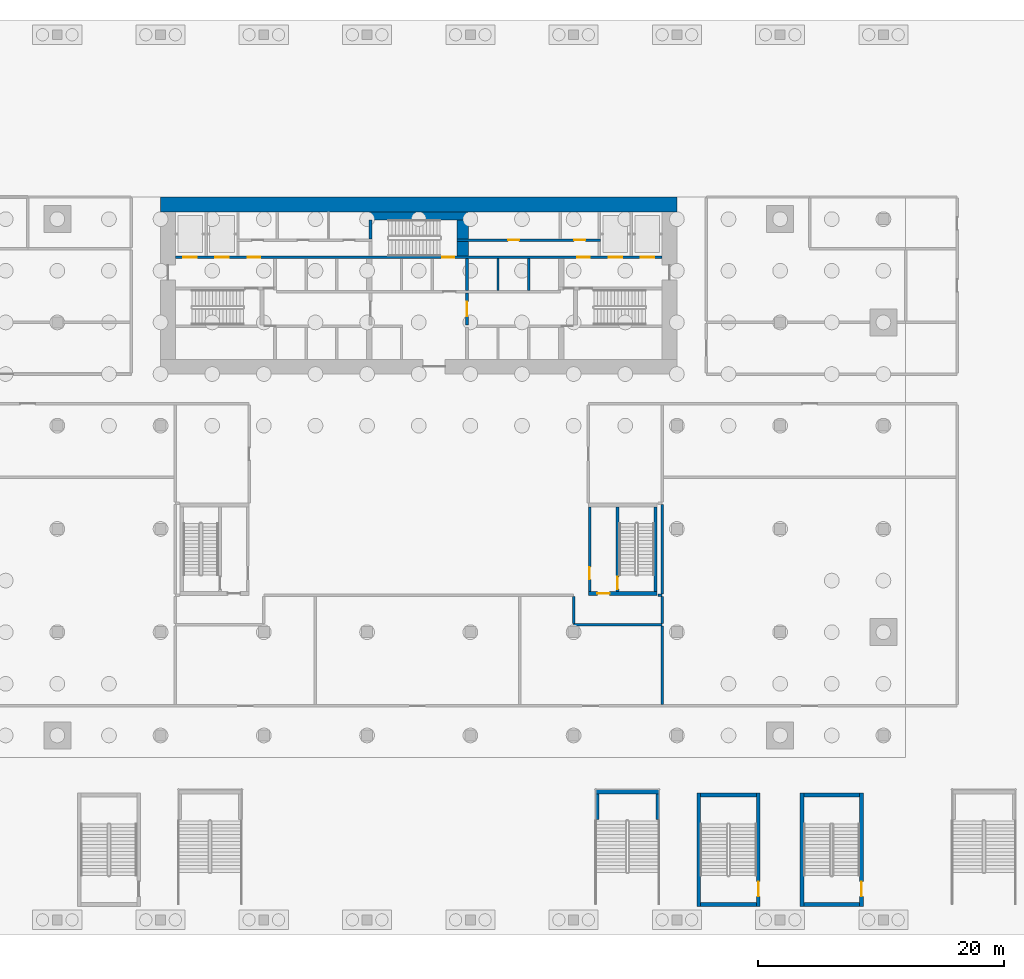
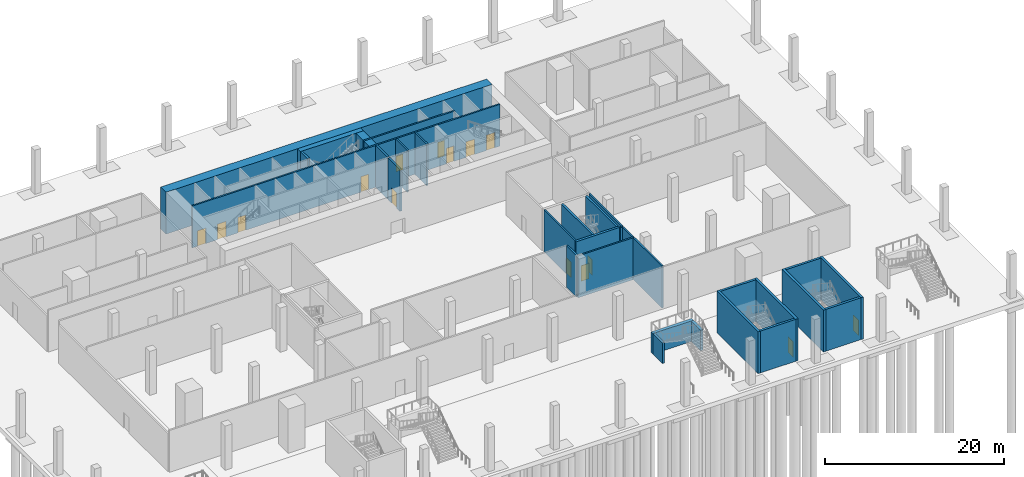
# One storey, part 7 of 16: 32 walls, 15 doors, 15 openings.
"""IFC4 building model written with IfcOpenShell, lengths in metres."""

from ifc_helpers import new_model, si_unit, direction, frame, frame_2d, origin, place, context, subcontext, project, spatial, rectangle, extrude, material, layer, layer_set, type_object, element, fill, save


model = new_model("IFC4")

# Units and contexts
model_context = context("Model", 3, precision=1e-05, world=origin(), true_north=direction((0.0, 1.0)))
body_context = subcontext(model_context, "Body", "Model", "MODEL_VIEW")
ifc_project = project(units=[si_unit("LENGTHUNIT", "METRE"), si_unit("AREAUNIT", "SQUARE_METRE"), si_unit("VOLUMEUNIT", "CUBIC_METRE"), si_unit("PLANEANGLEUNIT", "RADIAN"), si_unit("MASSUNIT", "GRAM", prefix="KILO")], contexts=[model_context])

# Site, building, storey
site_placement = place(None, origin())
site = spatial("IfcSite", under=ifc_project, at=site_placement, CompositionType="ELEMENT")
building_placement = place(site_placement, origin())
building = spatial("IfcBuilding", under=site, at=building_placement, Name="Saffron Gate Tower", CompositionType="ELEMENT")
storey_placement = place(building_placement, frame((0.0, 0.0, -6.0)))
storey = spatial("IfcBuildingStorey", under=building, at=storey_placement, Name="B1", CompositionType="ELEMENT", Elevation=-6.0)

# Wall
ifc_material_1 = material(Name="Concrete C70", Category="concrete")
ifc_layer_1 = layer(ifc_material_1, 1.199951171875)
ifc_layer_set_1 = layer_set([ifc_layer_1], Name="CW1 RC core wall 1200 C70")
wall_type_1 = type_object("IfcWallType", Name="CW1 RC core wall 1200 C70", PredefinedType="SOLIDWALL", material=ifc_layer_set_1)
wall_1_placement = place(storey_placement, frame((66.60009765625, 75.0, 0.0), z_axis=(0.0, 0.0, 1.0), x_axis=(1.0, 0.0, 0.0)))
element("IfcWall", 1, at=wall_1_placement, inside=storey, type_object=wall_type_1, Name="Wall CW1-B1-2", PredefinedType="SOLIDWALL", context=body_context, shape_type="SweptSolid", body=[
    extrude(rectangle(XDim=42.0, YDim=1.199951171875, at=frame_2d((21.0, 0.0))), origin(), (0.0, 0.0, 1.0), 5.699951171875),
])

# Wall, opening, door
ifc_material_2 = material(Name="Gypsum board partition on steel studs", Category="steel")
ifc_layer_2 = layer(ifc_material_2, 0.199951171875)
ifc_layer_set_2 = layer_set([ifc_layer_2], Name="CW10 Core partition 200")
wall_type_2 = type_object("IfcWallType", Name="CW10 Core partition 200", PredefinedType="PARTITIONING", material=ifc_layer_set_2)
wall_2_placement = place(storey_placement, frame((101.5, 43.5, 0.0), z_axis=(0.0, 0.0, 1.0), x_axis=(0.0, 1.0, 0.0)))
wall_2 = element("IfcWall", 2, at=wall_2_placement, inside=storey, type_object=wall_type_2, Name="Wall CW10-B1-E-2", PredefinedType="PARTITIONING", context=body_context, shape_type="SweptSolid", body=[
    extrude(rectangle(XDim=6.89990234375, YDim=0.199951171875, at=frame_2d((3.449951171875, 0.0))), origin(), (0.0, 0.0, 1.0), 5.699951171875),
])
opening_1_placement = place(wall_2_placement, frame((1.0, 0.0, 0.0)))
opening_1 = element("IfcOpeningElement", 3, at=opening_1_placement, cuts=wall_2, Name="Opening CR-22", PredefinedType="OPENING", context=body_context, shape_type="SweptSolid", body=[
    extrude(rectangle(XDim=1.0, YDim=2.10009765625, at=frame_2d((0.5, 1.050048828125))), frame((0.0, 0.10986328125, 0.0), z_axis=(0.0, -1.0, 0.0), x_axis=(1.0, 0.0, 0.0)), (0.0, 0.0, 1.0), 0.219970703125),
])
ifc_material_3 = material(Name="Steel fire door set", Category="steel")
door_type_1 = type_object("IfcDoorType", Name="CD4 Lobby door 1000x2100 EI 120", OperationType="NOTDEFINED", PredefinedType="DOOR", material=ifc_material_3)
door_1_placement = place(opening_1_placement, origin())
door_1 = element("IfcDoor", 4, at=door_1_placement, inside=storey, type_object=door_type_1, Name="DOOR CR-22", OperationType="SINGLE_SWING_LEFT", OverallHeight=2.10009765625, OverallWidth=1.0, PredefinedType="DOOR", context=body_context, shape_type="SweptSolid", body=[
    extrude(rectangle(XDim=1.0, YDim=2.10009765625, at=frame_2d((0.5, 1.050048828125))), frame((0.0, 0.02490234375, 0.0), z_axis=(0.0, -1.0, 0.0), x_axis=(1.0, 0.0, 0.0)), (0.0, 0.0, 1.0), 0.050048828125),
])
fill(opening_1, door_1)

ifc_layer_3 = layer(ifc_material_1, 0.25)
ifc_layer_set_3 = layer_set([ifc_layer_3], Name="CW2 RC core wall 250 C70")
wall_type_3 = type_object("IfcWallType", Name="CW2 RC core wall 250 C70", PredefinedType="SOLIDWALL", material=ifc_layer_set_3)
wall_3_placement = place(storey_placement, frame((91.52490234375, 65.199951171875, 0.0), z_axis=(0.0, 0.0, 1.0), x_axis=(0.0, 1.0, 0.0)))
wall_3 = element("IfcWall", 5, at=wall_3_placement, inside=storey, type_object=wall_type_3, Name="Wall CW2-B1-18", PredefinedType="SOLIDWALL", context=body_context, shape_type="SweptSolid", body=[
    extrude(rectangle(XDim=2.60009765625, YDim=0.25, at=frame_2d((1.300048828125, 0.0))), origin(), (0.0, 0.0, 1.0), 5.699951171875),
])
opening_2_placement = place(wall_3_placement, frame((0.699951171875, 0.0, 0.0)))
opening_2 = element("IfcOpeningElement", 6, at=opening_2_placement, cuts=wall_3, Name="Opening CR-01", PredefinedType="OPENING", context=body_context, shape_type="SweptSolid", body=[
    extrude(rectangle(XDim=1.199951171875, YDim=2.10009765625, at=frame_2d((0.60009765625, 1.050048828125))), frame((0.0, 0.135009765625, 0.0), z_axis=(0.0, -1.0, 0.0), x_axis=(1.0, 0.0, 0.0)), (0.0, 0.0, 1.0), 0.27001953125),
])
door_type_2 = type_object("IfcDoorType", Name="CD3 Lobby door 1200x2100 EI 120", OperationType="NOTDEFINED", PredefinedType="DOOR", material=ifc_material_3)
door_2_placement = place(opening_2_placement, origin())
door_2 = element("IfcDoor", 7, at=door_2_placement, inside=storey, type_object=door_type_2, Name="DOOR CR-01", OperationType="SINGLE_SWING_RIGHT", OverallHeight=2.10009765625, OverallWidth=1.199951171875, PredefinedType="DOOR", context=body_context, shape_type="SweptSolid", body=[
    extrude(rectangle(XDim=1.199951171875, YDim=2.10009765625, at=frame_2d((0.60009765625, 1.050048828125))), frame((0.0, 0.02490234375, 0.0), z_axis=(0.0, -1.0, 0.0), x_axis=(1.0, 0.0, 0.0)), (0.0, 0.0, 1.0), 0.050048828125),
])
fill(opening_2, door_2)

# Walls
wall_4_placement = place(storey_placement, frame((91.52490234375, 68.0, 0.0), z_axis=(0.0, 0.0, 1.0), x_axis=(0.0, 1.0, 0.0)))
element("IfcWall", 8, at=wall_4_placement, inside=storey, type_object=wall_type_3, Name="Wall CW2-B1-26", PredefinedType="SOLIDWALL", context=body_context, shape_type="SweptSolid", body=[
    extrude(rectangle(XDim=2.60009765625, YDim=0.25, at=frame_2d((1.300048828125, 0.0))), origin(), (0.0, 0.0, 1.0), 5.699951171875),
])
wall_5_placement = place(storey_placement, frame((83.675048828125, 72.199951171875, 0.0), z_axis=(0.0, 0.0, 1.0), x_axis=(0.0, 1.0, 0.0)))
element("IfcWall", 9, at=wall_5_placement, inside=storey, type_object=wall_type_3, Name="Wall CW2-B1-46", PredefinedType="SOLIDWALL", context=body_context, shape_type="SweptSolid", body=[
    extrude(rectangle(XDim=1.550048828125, YDim=0.25, at=frame_2d((0.77490234375, 0.0))), origin(), (0.0, 0.0, 1.0), 5.699951171875),
])

# Wall, opening, door
wall_6_placement = place(storey_placement, frame((103.77490234375, 43.5, 0.0), z_axis=(0.0, 0.0, 1.0), x_axis=(0.0, 1.0, 0.0)))
wall_6 = element("IfcWall", 10, at=wall_6_placement, inside=storey, type_object=wall_type_3, Name="Wall CW2-B1-E-3", PredefinedType="SOLIDWALL", context=body_context, shape_type="SweptSolid", body=[
    extrude(rectangle(XDim=6.89990234375, YDim=0.25, at=frame_2d((3.449951171875, 0.0))), origin(), (0.0, 0.0, 1.0), 5.699951171875),
])
opening_3_placement = place(wall_6_placement, frame((0.199951171875, 0.0, 0.0)))
opening_3 = element("IfcOpeningElement", 11, at=opening_3_placement, cuts=wall_6, Name="Opening CR-23", PredefinedType="OPENING", context=body_context, shape_type="SweptSolid", body=[
    extrude(rectangle(XDim=1.0, YDim=2.10009765625, at=frame_2d((0.5, 1.050048828125))), frame((0.0, 0.135009765625, 0.0), z_axis=(0.0, -1.0, 0.0), x_axis=(1.0, 0.0, 0.0)), (0.0, 0.0, 1.0), 0.27001953125),
])
door_type_3 = type_object("IfcDoorType", Name="CD5 Stair door 1000x2100 EI 120", OperationType="NOTDEFINED", PredefinedType="DOOR", material=ifc_material_3)
door_3_placement = place(opening_3_placement, origin())
door_3 = element("IfcDoor", 12, at=door_3_placement, inside=storey, type_object=door_type_3, Name="DOOR CR-23", OperationType="SINGLE_SWING_RIGHT", OverallHeight=2.10009765625, OverallWidth=1.0, PredefinedType="DOOR", context=body_context, shape_type="SweptSolid", body=[
    extrude(rectangle(XDim=1.0, YDim=2.10009765625, at=frame_2d((0.5, 1.050048828125))), frame((0.0, 0.02490234375, 0.0), z_axis=(0.0, -1.0, 0.0), x_axis=(1.0, 0.0, 0.0)), (0.0, 0.0, 1.0), 0.050048828125),
])
fill(opening_3, door_3)

# Walls
wall_7_placement = place(storey_placement, frame((106.875, 43.5, 0.0), z_axis=(0.0, 0.0, 1.0), x_axis=(0.0, 1.0, 0.0)))
element("IfcWall", 13, at=wall_7_placement, inside=storey, type_object=wall_type_3, Name="Wall CW2-B1-E-4", PredefinedType="SOLIDWALL", context=body_context, shape_type="SweptSolid", body=[
    extrude(rectangle(XDim=6.89990234375, YDim=0.25, at=frame_2d((3.449951171875, 0.0))), origin(), (0.0, 0.0, 1.0), 5.699951171875),
])
ifc_layer_4 = layer(ifc_material_1, 0.199951171875)
ifc_layer_set_4 = layer_set([ifc_layer_4], Name="CW3 RC core wall 200 C70")
wall_type_4 = type_object("IfcWallType", Name="CW3 RC core wall 200 C70", PredefinedType="SOLIDWALL", material=ifc_layer_set_4)
for number, where, z_axis, x_axis, name in (
    (14, (94.050048828125, 68.0, 0.0), (0.0, 0.0, 1.0), (0.0, 1.0, 0.0), "Wall CW3-B1-27"),
    (15, (96.550048828125, 68.0, 0.0), (0.0, 0.0, 1.0), (0.0, 1.0, 0.0), "Wall CW3-B1-28"),
):
    element("IfcWall", number, at=place(storey_placement, frame(where, z_axis=z_axis, x_axis=x_axis)), inside=storey, type_object=wall_type_4, Name=name, PredefinedType="SOLIDWALL", context=body_context, shape_type="SweptSolid", body=[
        extrude(rectangle(XDim=2.60009765625, YDim=0.199951171875, at=frame_2d((1.300048828125, 0.0))), origin(), (0.0, 0.0, 1.0), 5.699951171875),
    ])

# Wall, openings, doors
wall_8_placement = place(storey_placement, frame((67.800048828125, 70.699951171875, 0.0), z_axis=(0.0, 0.0, 1.0), x_axis=(1.0, 0.0, 0.0)))
wall_8 = element("IfcWall", 16, at=wall_8_placement, inside=storey, type_object=wall_type_4, Name="Wall CW3-B1-34", PredefinedType="SOLIDWALL", context=body_context, shape_type="SweptSolid", body=[
    extrude(rectangle(XDim=39.599853515625, YDim=0.199951171875, at=frame_2d((19.7998046875, 0.0))), origin(), (0.0, 0.0, 1.0), 5.699951171875),
])
opening_4_placement = place(wall_8_placement, frame((0.64990234375, 0.0, 0.0)))
opening_4 = element("IfcOpeningElement", 17, at=opening_4_placement, cuts=wall_8, Name="Opening LD-FF1", PredefinedType="OPENING", context=body_context, shape_type="SweptSolid", body=[
    extrude(rectangle(XDim=1.10009765625, YDim=2.10009765625, at=frame_2d((0.550048828125, 1.050048828125))), frame((0.0, 0.10986328125, 0.0), z_axis=(0.0, -1.0, 0.0), x_axis=(1.0, 0.0, 0.0)), (0.0, 0.0, 1.0), 0.219970703125),
])
opening_5_placement = place(wall_8_placement, frame((3.25, 0.0, 0.0)))
opening_5 = element("IfcOpeningElement", 18, at=opening_5_placement, cuts=wall_8, Name="Opening LD-SV1", PredefinedType="OPENING", context=body_context, shape_type="SweptSolid", body=[
    extrude(rectangle(XDim=1.10009765625, YDim=2.10009765625, at=frame_2d((0.550048828125, 1.050048828125))), frame((0.0, 0.10986328125, 0.0), z_axis=(0.0, -1.0, 0.0), x_axis=(1.0, 0.0, 0.0)), (0.0, 0.0, 1.0), 0.219970703125),
])
opening_6_placement = place(wall_8_placement, frame((5.89990234375, 0.0, 0.0)))
opening_6 = element("IfcOpeningElement", 19, at=opening_6_placement, cuts=wall_8, Name="Opening CR-03", PredefinedType="OPENING", context=body_context, shape_type="SweptSolid", body=[
    extrude(rectangle(XDim=1.0, YDim=2.10009765625, at=frame_2d((0.5, 1.050048828125))), frame((0.0, 0.10986328125, 0.0), z_axis=(0.0, -1.0, 0.0), x_axis=(1.0, 0.0, 0.0)), (0.0, 0.0, 1.0), 0.219970703125),
])
opening_7_placement = place(wall_8_placement, frame((21.699951171875, 0.0, 0.0)))
opening_7 = element("IfcOpeningElement", 20, at=opening_7_placement, cuts=wall_8, Name="Opening CR-17", PredefinedType="OPENING", context=body_context, shape_type="SweptSolid", body=[
    extrude(rectangle(XDim=1.0, YDim=2.10009765625, at=frame_2d((0.5, 1.050048828125))), frame((0.0, 0.10986328125, 0.0), z_axis=(0.0, -1.0, 0.0), x_axis=(1.0, 0.0, 0.0)), (0.0, 0.0, 1.0), 0.219970703125),
])
opening_8_placement = place(wall_8_placement, frame((32.699951171875, 0.0, 0.0)))
opening_8 = element("IfcOpeningElement", 21, at=opening_8_placement, cuts=wall_8, Name="Opening CR-04", PredefinedType="OPENING", context=body_context, shape_type="SweptSolid", body=[
    extrude(rectangle(XDim=1.0, YDim=2.10009765625, at=frame_2d((0.5, 1.050048828125))), frame((0.0, 0.10986328125, 0.0), z_axis=(0.0, -1.0, 0.0), x_axis=(1.0, 0.0, 0.0)), (0.0, 0.0, 1.0), 0.219970703125),
])
opening_9_placement = place(wall_8_placement, frame((35.25, 0.0, 0.0)))
opening_9 = element("IfcOpeningElement", 22, at=opening_9_placement, cuts=wall_8, Name="Opening LD-SV2", PredefinedType="OPENING", context=body_context, shape_type="SweptSolid", body=[
    extrude(rectangle(XDim=1.10009765625, YDim=2.10009765625, at=frame_2d((0.550048828125, 1.050048828125))), frame((0.0, 0.10986328125, 0.0), z_axis=(0.0, -1.0, 0.0), x_axis=(1.0, 0.0, 0.0)), (0.0, 0.0, 1.0), 0.219970703125),
])
opening_10_placement = place(wall_8_placement, frame((37.85009765625, 0.0, 0.0)))
opening_10 = element("IfcOpeningElement", 23, at=opening_10_placement, cuts=wall_8, Name="Opening LD-FF2", PredefinedType="OPENING", context=body_context, shape_type="SweptSolid", body=[
    extrude(rectangle(XDim=1.10009765625, YDim=2.10009765625, at=frame_2d((0.550048828125, 1.050048828125))), frame((0.0, 0.10986328125, 0.0), z_axis=(0.0, -1.0, 0.0), x_axis=(1.0, 0.0, 0.0)), (0.0, 0.0, 1.0), 0.219970703125),
])
door_4_placement = place(opening_6_placement, origin())
door_4 = element("IfcDoor", 24, at=door_4_placement, inside=storey, type_object=door_type_1, Name="DOOR CR-03", OperationType="SINGLE_SWING_LEFT", OverallHeight=2.10009765625, OverallWidth=1.0, PredefinedType="DOOR", context=body_context, shape_type="SweptSolid", body=[
    extrude(rectangle(XDim=1.0, YDim=2.10009765625, at=frame_2d((0.5, 1.050048828125))), frame((0.0, 0.02490234375, 0.0), z_axis=(0.0, -1.0, 0.0), x_axis=(1.0, 0.0, 0.0)), (0.0, 0.0, 1.0), 0.050048828125),
])
fill(opening_6, door_4)
door_5_placement = place(opening_8_placement, origin())
door_5 = element("IfcDoor", 25, at=door_5_placement, inside=storey, type_object=door_type_1, Name="DOOR CR-04", OperationType="SINGLE_SWING_RIGHT", OverallHeight=2.10009765625, OverallWidth=1.0, PredefinedType="DOOR", context=body_context, shape_type="SweptSolid", body=[
    extrude(rectangle(XDim=1.0, YDim=2.10009765625, at=frame_2d((0.5, 1.050048828125))), frame((0.0, 0.02490234375, 0.0), z_axis=(0.0, -1.0, 0.0), x_axis=(1.0, 0.0, 0.0)), (0.0, 0.0, 1.0), 0.050048828125),
])
fill(opening_8, door_5)
door_6_placement = place(opening_7_placement, origin())
door_6 = element("IfcDoor", 26, at=door_6_placement, inside=storey, type_object=door_type_3, Name="DOOR CR-17", OperationType="SINGLE_SWING_RIGHT", OverallHeight=2.10009765625, OverallWidth=1.0, PredefinedType="DOOR", context=body_context, shape_type="SweptSolid", body=[
    extrude(rectangle(XDim=1.0, YDim=2.10009765625, at=frame_2d((0.5, 1.050048828125))), frame((0.0, 0.02490234375, 0.0), z_axis=(0.0, -1.0, 0.0), x_axis=(1.0, 0.0, 0.0)), (0.0, 0.0, 1.0), 0.050048828125),
])
fill(opening_7, door_6)
ifc_material_4 = material(Name="Stainless steel landing door", Category="steel")
door_type_4 = type_object("IfcDoorType", Name="LD Lift landing door 1100x2100 EI 120", OperationType="SLIDING_TO_LEFT", PredefinedType="DOOR", material=ifc_material_4)
door_7_placement = place(opening_4_placement, origin())
door_7 = element("IfcDoor", 27, at=door_7_placement, inside=storey, type_object=door_type_4, Name="LANDING DOOR LD-FF1", OperationType="SLIDING_TO_RIGHT", OverallHeight=2.10009765625, OverallWidth=1.10009765625, PredefinedType="DOOR", context=body_context, shape_type="SweptSolid", body=[
    extrude(rectangle(XDim=1.10009765625, YDim=2.10009765625, at=frame_2d((0.550048828125, 1.050048828125))), frame((0.0, 0.02490234375, 0.0), z_axis=(0.0, -1.0, 0.0), x_axis=(1.0, 0.0, 0.0)), (0.0, 0.0, 1.0), 0.050048828125),
])
fill(opening_4, door_7)
door_8_placement = place(opening_5_placement, origin())
door_8 = element("IfcDoor", 28, at=door_8_placement, inside=storey, type_object=door_type_4, Name="LANDING DOOR LD-SV1", OperationType="SLIDING_TO_RIGHT", OverallHeight=2.10009765625, OverallWidth=1.10009765625, PredefinedType="DOOR", context=body_context, shape_type="SweptSolid", body=[
    extrude(rectangle(XDim=1.10009765625, YDim=2.10009765625, at=frame_2d((0.550048828125, 1.050048828125))), frame((0.0, 0.02490234375, 0.0), z_axis=(0.0, -1.0, 0.0), x_axis=(1.0, 0.0, 0.0)), (0.0, 0.0, 1.0), 0.050048828125),
])
fill(opening_5, door_8)
door_9_placement = place(opening_9_placement, origin())
door_9 = element("IfcDoor", 29, at=door_9_placement, inside=storey, type_object=door_type_4, Name="LANDING DOOR LD-SV2", OperationType="SLIDING_TO_RIGHT", OverallHeight=2.10009765625, OverallWidth=1.10009765625, PredefinedType="DOOR", context=body_context, shape_type="SweptSolid", body=[
    extrude(rectangle(XDim=1.10009765625, YDim=2.10009765625, at=frame_2d((0.550048828125, 1.050048828125))), frame((0.0, 0.02490234375, 0.0), z_axis=(0.0, -1.0, 0.0), x_axis=(1.0, 0.0, 0.0)), (0.0, 0.0, 1.0), 0.050048828125),
])
fill(opening_9, door_9)
door_10_placement = place(opening_10_placement, origin())
door_10 = element("IfcDoor", 30, at=door_10_placement, inside=storey, type_object=door_type_4, Name="LANDING DOOR LD-FF2", OperationType="SLIDING_TO_RIGHT", OverallHeight=2.10009765625, OverallWidth=1.10009765625, PredefinedType="DOOR", context=body_context, shape_type="SweptSolid", body=[
    extrude(rectangle(XDim=1.10009765625, YDim=2.10009765625, at=frame_2d((0.550048828125, 1.050048828125))), frame((0.0, 0.02490234375, 0.0), z_axis=(0.0, -1.0, 0.0), x_axis=(1.0, 0.0, 0.0)), (0.0, 0.0, 1.0), 0.050048828125),
])
fill(opening_10, door_10)

wall_9_placement = place(storey_placement, frame((90.699951171875, 72.10009765625, 0.0), z_axis=(0.0, 0.0, 1.0), x_axis=(1.0, 0.0, 0.0)))
wall_9 = element("IfcWall", 31, at=wall_9_placement, inside=storey, type_object=wall_type_4, Name="Wall CW3-B1-42", PredefinedType="SOLIDWALL", context=body_context, shape_type="SweptSolid", body=[
    extrude(rectangle(XDim=11.699951171875, YDim=0.199951171875, at=frame_2d((5.85009765625, 0.0))), origin(), (0.0, 0.0, 1.0), 5.699951171875),
])
opening_11_placement = place(wall_9_placement, frame((4.175048828125, 0.0, 0.0)))
opening_11 = element("IfcOpeningElement", 32, at=opening_11_placement, cuts=wall_9, Name="Opening CR-51", PredefinedType="OPENING", context=body_context, shape_type="SweptSolid", body=[
    extrude(rectangle(XDim=0.89990234375, YDim=2.10009765625, at=frame_2d((0.449951171875, 1.050048828125))), frame((0.0, 0.10986328125, 0.0), z_axis=(0.0, -1.0, 0.0), x_axis=(1.0, 0.0, 0.0)), (0.0, 0.0, 1.0), 0.219970703125),
])
opening_12_placement = place(wall_9_placement, frame((9.550048828125, 0.0, 0.0)))
opening_12 = element("IfcOpeningElement", 33, at=opening_12_placement, cuts=wall_9, Name="Opening CR-70", PredefinedType="OPENING", context=body_context, shape_type="SweptSolid", body=[
    extrude(rectangle(XDim=0.89990234375, YDim=2.10009765625, at=frame_2d((0.449951171875, 1.050048828125))), frame((0.0, 0.10986328125, 0.0), z_axis=(0.0, -1.0, 0.0), x_axis=(1.0, 0.0, 0.0)), (0.0, 0.0, 1.0), 0.219970703125),
])
door_type_5 = type_object("IfcDoorType", Name="CD2 Riser door 900x2100 EI 60", OperationType="NOTDEFINED", PredefinedType="DOOR", material=ifc_material_3)
door_11_placement = place(opening_12_placement, origin())
door_11 = element("IfcDoor", 34, at=door_11_placement, inside=storey, type_object=door_type_5, Name="DOOR CR-70", OperationType="SINGLE_SWING_LEFT", OverallHeight=2.10009765625, OverallWidth=0.89990234375, PredefinedType="DOOR", context=body_context, shape_type="SweptSolid", body=[
    extrude(rectangle(XDim=0.89990234375, YDim=2.10009765625, at=frame_2d((0.449951171875, 1.050048828125))), frame((0.0, 0.02490234375, 0.0), z_axis=(0.0, -1.0, 0.0), x_axis=(1.0, 0.0, 0.0)), (0.0, 0.0, 1.0), 0.050048828125),
])
fill(opening_12, door_11)
door_type_6 = type_object("IfcDoorType", Name="CD8 Room door 900x2100 EI 120", OperationType="NOTDEFINED", PredefinedType="DOOR", material=ifc_material_3)
door_12_placement = place(opening_11_placement, origin())
door_12 = element("IfcDoor", 35, at=door_12_placement, inside=storey, type_object=door_type_6, Name="DOOR CR-51", OperationType="SINGLE_SWING_LEFT", OverallHeight=2.10009765625, OverallWidth=0.89990234375, PredefinedType="DOOR", context=body_context, shape_type="SweptSolid", body=[
    extrude(rectangle(XDim=0.89990234375, YDim=2.10009765625, at=frame_2d((0.449951171875, 1.050048828125))), frame((0.0, 0.02490234375, 0.0), z_axis=(0.0, -1.0, 0.0), x_axis=(1.0, 0.0, 0.0)), (0.0, 0.0, 1.0), 0.050048828125),
])
fill(opening_11, door_12)

# Walls
ifc_layer_5 = layer(ifc_material_1, 0.39990234375)
ifc_layer_set_5 = layer_set([ifc_layer_5], Name="CW32 RC stair support wall 400 C70")
wall_type_5 = type_object("IfcWallType", Name="CW32 RC stair support wall 400 C70", PredefinedType="SOLIDWALL", material=ifc_layer_set_5)
wall_10_placement = place(storey_placement, frame((107.199951171875, 27.25, 0.0), z_axis=(0.0, 0.0, 1.0), x_axis=(-1.0, 0.0, 0.0)))
element("IfcWall", 36, at=wall_10_placement, inside=storey, type_object=wall_type_5, Name="Wall CW32-SS3-far", PredefinedType="SOLIDWALL", context=body_context, shape_type="SweptSolid", body=[
    extrude(rectangle(XDim=5.25, YDim=0.39990234375, at=frame_2d((2.625, 0.0))), origin(), (0.0, 0.0, 1.0), 2.800048828125),
])
ifc_layer_6 = layer(ifc_material_1, 0.300048828125)
ifc_layer_set_6 = layer_set([ifc_layer_6], Name="CW33 RC stair support wall 300 C70")
wall_type_6 = type_object("IfcWallType", Name="CW33 RC stair support wall 300 C70", PredefinedType="SOLIDWALL", material=ifc_layer_set_6)
for number, where, z_axis, x_axis, name in (
    (37, (107.050048828125, 24.949951171875, 0.0), (0.0, 0.0, 1.0), (0.0, 1.0, 0.0), "Wall CW33-SS3-side-a"),
    (38, (102.10009765625, 24.949951171875, 0.0), (0.0, 0.0, 1.0), (0.0, 1.0, 0.0), "Wall CW33-SS3-side-b"),
):
    element("IfcWall", number, at=place(storey_placement, frame(where, z_axis=z_axis, x_axis=x_axis)), inside=storey, type_object=wall_type_6, Name=name, PredefinedType="SOLIDWALL", context=body_context, shape_type="SweptSolid", body=[
        extrude(rectangle(XDim=2.10009765625, YDim=0.300048828125, at=frame_2d((1.050048828125, 0.0))), origin(), (0.0, 0.0, 1.0), 2.800048828125),
    ])

# Wall, opening, door
ifc_layer_7 = layer(ifc_material_1, 0.300048828125)
ifc_layer_set_7 = layer_set([ifc_layer_7], Name="CW5 RC core wall 300 C70")
wall_type_7 = type_object("IfcWallType", Name="CW5 RC core wall 300 C70", PredefinedType="SOLIDWALL", material=ifc_layer_set_7)
wall_11_placement = place(storey_placement, frame((101.39990234375, 43.35009765625, 0.0), z_axis=(0.0, 0.0, 1.0), x_axis=(1.0, 0.0, 0.0)))
wall_11 = element("IfcWall", 39, at=wall_11_placement, inside=storey, type_object=wall_type_7, Name="Wall CW5-B1-E-1", PredefinedType="SOLIDWALL", context=body_context, shape_type="SweptSolid", body=[
    extrude(rectangle(XDim=5.60009765625, YDim=0.300048828125, at=frame_2d((2.800048828125, 0.0))), origin(), (0.0, 0.0, 1.0), 5.699951171875),
])
opening_13_placement = place(wall_11_placement, frame((0.72509765625, 0.0, 0.0)))
opening_13 = element("IfcOpeningElement", 40, at=opening_13_placement, cuts=wall_11, Name="Opening CR-21", PredefinedType="OPENING", context=body_context, shape_type="SweptSolid", body=[
    extrude(rectangle(XDim=1.0, YDim=2.10009765625, at=frame_2d((0.5, 1.050048828125))), frame((0.0, 0.16015625, 0.0), z_axis=(0.0, -1.0, 0.0), x_axis=(1.0, 0.0, 0.0)), (0.0, 0.0, 1.0), 0.320068359375),
])
door_13_placement = place(opening_13_placement, origin())
door_13 = element("IfcDoor", 41, at=door_13_placement, inside=storey, type_object=door_type_1, Name="DOOR CR-21", OperationType="SINGLE_SWING_RIGHT", OverallHeight=2.10009765625, OverallWidth=1.0, PredefinedType="DOOR", context=body_context, shape_type="SweptSolid", body=[
    extrude(rectangle(XDim=1.0, YDim=2.10009765625, at=frame_2d((0.5, 1.050048828125))), frame((0.0, 0.02490234375, 0.0), z_axis=(0.0, -1.0, 0.0), x_axis=(1.0, 0.0, 0.0)), (0.0, 0.0, 1.0), 0.050048828125),
])
fill(opening_13, door_13)

# Walls
wall_12_placement = place(storey_placement, frame((118.77490234375, 17.89990234375, 0.0), z_axis=(0.0, 0.0, 1.0), x_axis=(0.0, 1.0, 0.0)))
element("IfcWall", 42, at=wall_12_placement, inside=storey, type_object=wall_type_7, Name="Wall CW5-B1-M-1", PredefinedType="SOLIDWALL", context=body_context, shape_type="SweptSolid", body=[
    extrude(rectangle(XDim=9.2001953125, YDim=0.300048828125, at=frame_2d((4.60009765625, 0.0))), origin(), (0.0, 0.0, 1.0), 5.699951171875),
])
wall_13_placement = place(storey_placement, frame((118.925048828125, 18.050048828125, 0.0), z_axis=(0.0, 0.0, 1.0), x_axis=(1.0, 0.0, 0.0)))
element("IfcWall", 43, at=wall_13_placement, inside=storey, type_object=wall_type_7, Name="Wall CW5-B1-M-2", PredefinedType="SOLIDWALL", context=body_context, shape_type="SweptSolid", body=[
    extrude(rectangle(XDim=4.550048828125, YDim=0.300048828125, at=frame_2d((2.27490234375, 0.0))), origin(), (0.0, 0.0, 1.0), 5.699951171875),
])

# Wall, opening, door
wall_14_placement = place(storey_placement, frame((123.625, 17.89990234375, 0.0), z_axis=(0.0, 0.0, 1.0), x_axis=(0.0, 1.0, 0.0)))
wall_14 = element("IfcWall", 44, at=wall_14_placement, inside=storey, type_object=wall_type_7, Name="Wall CW5-B1-M-3", PredefinedType="SOLIDWALL", context=body_context, shape_type="SweptSolid", body=[
    extrude(rectangle(XDim=9.2001953125, YDim=0.300048828125, at=frame_2d((4.60009765625, 0.0))), origin(), (0.0, 0.0, 1.0), 5.699951171875),
])
opening_14_placement = place(wall_14_placement, frame((0.800048828125, 0.0, 0.0)))
opening_14 = element("IfcOpeningElement", 45, at=opening_14_placement, cuts=wall_14, Name="Opening CR-44", PredefinedType="OPENING", context=body_context, shape_type="SweptSolid", body=[
    extrude(rectangle(XDim=1.199951171875, YDim=2.10009765625, at=frame_2d((0.60009765625, 1.050048828125))), frame((0.0, 0.16015625, 0.0), z_axis=(0.0, -1.0, 0.0), x_axis=(1.0, 0.0, 0.0)), (0.0, 0.0, 1.0), 0.320068359375),
])
door_type_7 = type_object("IfcDoorType", Name="CD12 Stair door 1200x2100 EI 120", OperationType="NOTDEFINED", PredefinedType="DOOR", material=ifc_material_3)
door_14_placement = place(opening_14_placement, origin())
door_14 = element("IfcDoor", 46, at=door_14_placement, inside=storey, type_object=door_type_7, Name="DOOR CR-44", OperationType="SINGLE_SWING_RIGHT", OverallHeight=2.10009765625, OverallWidth=1.199951171875, PredefinedType="DOOR", context=body_context, shape_type="SweptSolid", body=[
    extrude(rectangle(XDim=1.199951171875, YDim=2.10009765625, at=frame_2d((0.60009765625, 1.050048828125))), frame((0.0, 0.02490234375, 0.0), z_axis=(0.0, -1.0, 0.0), x_axis=(1.0, 0.0, 0.0)), (0.0, 0.0, 1.0), 0.050048828125),
])
fill(opening_14, door_14)

# Walls
wall_15_placement = place(storey_placement, frame((118.925048828125, 26.949951171875, 0.0), z_axis=(0.0, 0.0, 1.0), x_axis=(1.0, 0.0, 0.0)))
element("IfcWall", 47, at=wall_15_placement, inside=storey, type_object=wall_type_7, Name="Wall CW5-B1-M-4", PredefinedType="SOLIDWALL", context=body_context, shape_type="SweptSolid", body=[
    extrude(rectangle(XDim=4.550048828125, YDim=0.300048828125, at=frame_2d((2.27490234375, 0.0))), origin(), (0.0, 0.0, 1.0), 5.699951171875),
])
wall_16_placement = place(storey_placement, frame((110.375, 17.89990234375, 0.0), z_axis=(0.0, 0.0, 1.0), x_axis=(0.0, 1.0, 0.0)))
element("IfcWall", 48, at=wall_16_placement, inside=storey, type_object=wall_type_7, Name="Wall CW5-B1-N-1", PredefinedType="SOLIDWALL", context=body_context, shape_type="SweptSolid", body=[
    extrude(rectangle(XDim=9.2001953125, YDim=0.300048828125, at=frame_2d((4.60009765625, 0.0))), origin(), (0.0, 0.0, 1.0), 5.699951171875),
])
wall_17_placement = place(storey_placement, frame((110.52490234375, 18.050048828125, 0.0), z_axis=(0.0, 0.0, 1.0), x_axis=(1.0, 0.0, 0.0)))
element("IfcWall", 49, at=wall_17_placement, inside=storey, type_object=wall_type_7, Name="Wall CW5-B1-N-2", PredefinedType="SOLIDWALL", context=body_context, shape_type="SweptSolid", body=[
    extrude(rectangle(XDim=4.550048828125, YDim=0.300048828125, at=frame_2d((2.27490234375, 0.0))), origin(), (0.0, 0.0, 1.0), 5.699951171875),
])

# Wall, opening, door
wall_18_placement = place(storey_placement, frame((115.22509765625, 17.89990234375, 0.0), z_axis=(0.0, 0.0, 1.0), x_axis=(0.0, 1.0, 0.0)))
wall_18 = element("IfcWall", 50, at=wall_18_placement, inside=storey, type_object=wall_type_7, Name="Wall CW5-B1-N-3", PredefinedType="SOLIDWALL", context=body_context, shape_type="SweptSolid", body=[
    extrude(rectangle(XDim=9.2001953125, YDim=0.300048828125, at=frame_2d((4.60009765625, 0.0))), origin(), (0.0, 0.0, 1.0), 5.699951171875),
])
opening_15_placement = place(wall_18_placement, frame((0.800048828125, 0.0, 0.0)))
opening_15 = element("IfcOpeningElement", 51, at=opening_15_placement, cuts=wall_18, Name="Opening CR-46", PredefinedType="OPENING", context=body_context, shape_type="SweptSolid", body=[
    extrude(rectangle(XDim=1.199951171875, YDim=2.10009765625, at=frame_2d((0.60009765625, 1.050048828125))), frame((0.0, 0.16015625, 0.0), z_axis=(0.0, -1.0, 0.0), x_axis=(1.0, 0.0, 0.0)), (0.0, 0.0, 1.0), 0.320068359375),
])
door_15_placement = place(opening_15_placement, origin())
door_15 = element("IfcDoor", 52, at=door_15_placement, inside=storey, type_object=door_type_7, Name="DOOR CR-46", OperationType="SINGLE_SWING_RIGHT", OverallHeight=2.10009765625, OverallWidth=1.199951171875, PredefinedType="DOOR", context=body_context, shape_type="SweptSolid", body=[
    extrude(rectangle(XDim=1.199951171875, YDim=2.10009765625, at=frame_2d((0.60009765625, 1.050048828125))), frame((0.0, 0.02490234375, 0.0), z_axis=(0.0, -1.0, 0.0), x_axis=(1.0, 0.0, 0.0)), (0.0, 0.0, 1.0), 0.050048828125),
])
fill(opening_15, door_15)

# Walls
wall_19_placement = place(storey_placement, frame((110.52490234375, 26.949951171875, 0.0), z_axis=(0.0, 0.0, 1.0), x_axis=(1.0, 0.0, 0.0)))
element("IfcWall", 53, at=wall_19_placement, inside=storey, type_object=wall_type_7, Name="Wall CW5-B1-N-4", PredefinedType="SOLIDWALL", context=body_context, shape_type="SweptSolid", body=[
    extrude(rectangle(XDim=4.550048828125, YDim=0.300048828125, at=frame_2d((2.27490234375, 0.0))), origin(), (0.0, 0.0, 1.0), 5.699951171875),
])
ifc_layer_8 = layer(ifc_material_1, 0.949951171875)
ifc_layer_set_8 = layer_set([ifc_layer_8], Name="CW7 RC core wall 950 C70")
wall_type_8 = type_object("IfcWallType", Name="CW7 RC core wall 950 C70", PredefinedType="SOLIDWALL", material=ifc_layer_set_8)
wall_20_placement = place(storey_placement, frame((91.175048828125, 70.800048828125, 0.0), z_axis=(0.0, 0.0, 1.0), x_axis=(0.0, 1.0, 0.0)))
element("IfcWall", 54, at=wall_20_placement, inside=storey, type_object=wall_type_8, Name="Wall CW7-B1-38", PredefinedType="SOLIDWALL", context=body_context, shape_type="SweptSolid", body=[
    extrude(rectangle(XDim=1.199951171875, YDim=0.949951171875, at=frame_2d((0.60009765625, 0.0))), origin(), (0.0, 0.0, 1.0), 5.699951171875),
])
wall_21_placement = place(storey_placement, frame((91.175048828125, 72.199951171875, 0.0), z_axis=(0.0, 0.0, 1.0), x_axis=(0.0, 1.0, 0.0)))
element("IfcWall", 55, at=wall_21_placement, inside=storey, type_object=wall_type_8, Name="Wall CW7-B1-47", PredefinedType="SOLIDWALL", context=body_context, shape_type="SweptSolid", body=[
    extrude(rectangle(XDim=1.550048828125, YDim=0.949951171875, at=frame_2d((0.77490234375, 0.0))), origin(), (0.0, 0.0, 1.0), 5.699951171875),
])
ifc_layer_9 = layer(ifc_material_1, 0.64990234375)
ifc_layer_set_9 = layer_set([ifc_layer_9], Name="CW9 RC core wall 650 C70")
wall_type_9 = type_object("IfcWallType", Name="CW9 RC core wall 650 C70", PredefinedType="SOLIDWALL", material=ifc_layer_set_9)
wall_22_placement = place(storey_placement, frame((83.550048828125, 74.074951171875, 0.0), z_axis=(0.0, 0.0, 1.0), x_axis=(1.0, 0.0, 0.0)))
element("IfcWall", 56, at=wall_22_placement, inside=storey, type_object=wall_type_9, Name="Wall CW9-B1-50", PredefinedType="SOLIDWALL", context=body_context, shape_type="SweptSolid", body=[
    extrude(rectangle(XDim=8.099853515625, YDim=0.64990234375, at=frame_2d((4.0498046875, 0.0))), origin(), (0.0, 0.0, 1.0), 5.699951171875),
])
ifc_material_5 = material(Name="Clay brick masonry, rendered", Category="masonry")
ifc_layer_10 = layer(ifc_material_5, 0.199951171875)
ifc_layer_set_10 = layer_set([ifc_layer_10], Name="PW3 Corridor wall 200")
wall_type_10 = type_object("IfcWallType", Name="PW3 Corridor wall 200", PredefinedType="PARTITIONING", material=ifc_layer_set_10)
wall_23_placement = place(storey_placement, frame((100.199951171875, 40.800048828125, 0.0), z_axis=(0.0, 0.0, 1.0), x_axis=(1.0, 0.0, 0.0)))
element("IfcWall", 57, at=wall_23_placement, inside=storey, type_object=wall_type_10, Name="Wall BS-3", PredefinedType="PARTITIONING", context=body_context, shape_type="SweptSolid", body=[
    extrude(rectangle(XDim=7.199951171875, YDim=0.199951171875, at=frame_2d((3.60009765625, 0.0))), origin(), (0.0, 0.0, 1.0), 5.699951171875),
])
for number, where, z_axis, x_axis, name in (
    (58, (100.199951171875, 43.10009765625, 0.0), (0.0, 0.0, 1.0), (0.0, -1.0, 0.0), "Wall BS-43"),
    (59, (107.39990234375, 43.10009765625, 0.0), (0.0, 0.0, 1.0), (0.0, -1.0, 0.0), "Wall BS-45"),
):
    element("IfcWall", number, at=place(storey_placement, frame(where, z_axis=z_axis, x_axis=x_axis)), inside=storey, type_object=wall_type_10, Name=name, PredefinedType="PARTITIONING", context=body_context, shape_type="SweptSolid", body=[
        extrude(rectangle(XDim=2.2001953125, YDim=0.199951171875, at=frame_2d((1.10009765625, 0.0))), origin(), (0.0, 0.0, 1.0), 5.699951171875),
    ])
ifc_layer_11 = layer(ifc_material_5, 0.199951171875)
ifc_layer_set_11 = layer_set([ifc_layer_11], Name="PW5 Room wall 200")
wall_type_11 = type_object("IfcWallType", Name="PW5 Room wall 200", PredefinedType="PARTITIONING", material=ifc_layer_set_11)
wall_24_placement = place(storey_placement, frame((107.050048828125, 43.199951171875, 0.0), z_axis=(0.0, 0.0, 1.0), x_axis=(1.0, 0.0, 0.0)))
element("IfcWall", 60, at=wall_24_placement, inside=storey, type_object=wall_type_11, Name="Wall BS-6", PredefinedType="PARTITIONING", context=body_context, shape_type="SweptSolid", body=[
    extrude(rectangle(XDim=0.329833984375, YDim=0.199951171875, at=frame_2d((0.1650390625, 0.0))), origin(), (0.0, 0.0, 1.0), 5.699951171875),
])
wall_25_placement = place(storey_placement, frame((107.39990234375, 50.60009765625, 0.0), z_axis=(0.0, 0.0, 1.0), x_axis=(0.0, -1.0, 0.0)))
element("IfcWall", 61, at=wall_25_placement, inside=storey, type_object=wall_type_11, Name="Wall BS-46", PredefinedType="PARTITIONING", context=body_context, shape_type="SweptSolid", body=[
    extrude(rectangle(XDim=7.300048828125, YDim=0.199951171875, at=frame_2d((3.64990234375, 0.0))), origin(), (0.0, 0.0, 1.0), 5.699951171875),
])
wall_26_placement = place(storey_placement, frame((107.39990234375, 40.699951171875, 0.0), z_axis=(0.0, 0.0, 1.0), x_axis=(0.0, -1.0, 0.0)))
element("IfcWall", 62, at=wall_26_placement, inside=storey, type_object=wall_type_11, Name="Wall BS-47", PredefinedType="PARTITIONING", context=body_context, shape_type="SweptSolid", body=[
    extrude(rectangle(XDim=6.39990234375, YDim=0.199951171875, at=frame_2d((3.199951171875, 0.0))), origin(), (0.0, 0.0, 1.0), 5.699951171875),
])

save(model, "model.ifc")
